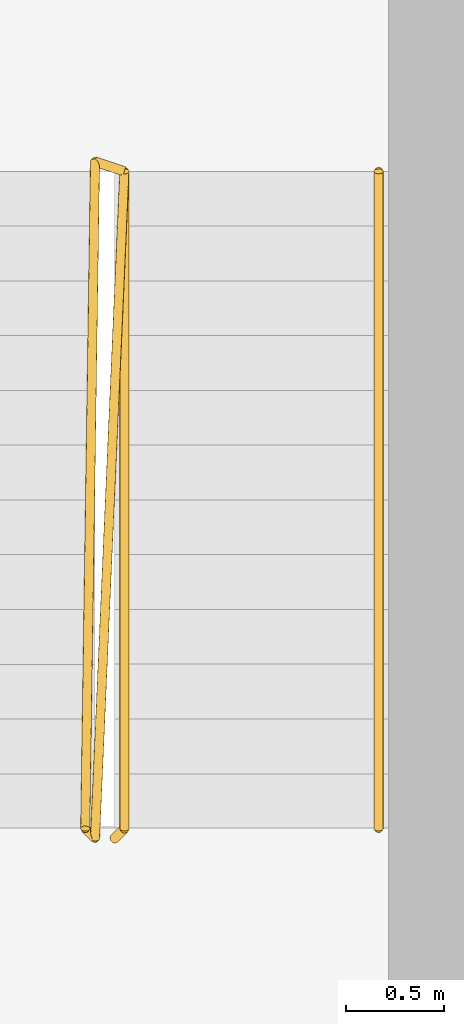
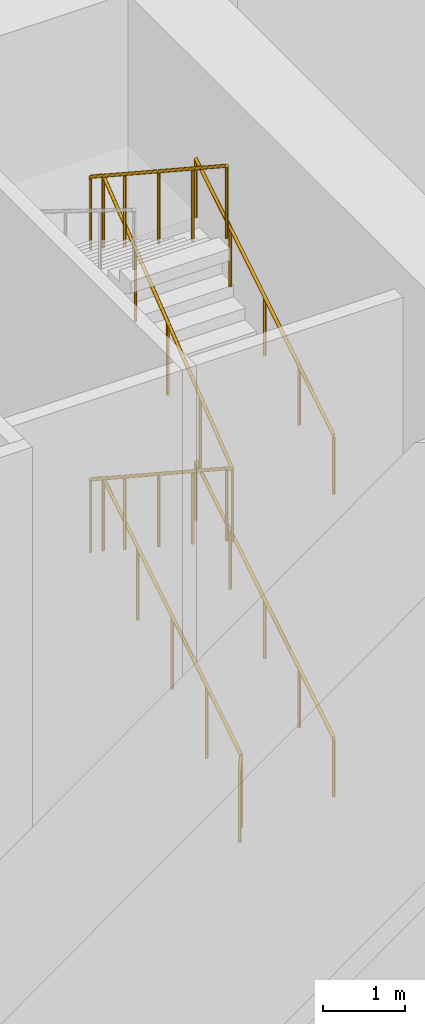
# One storey, part 20 of 21: 3 railings.
"""IFC4 building model written with IfcOpenShell, lengths in metres."""

from ifc_helpers import new_model, si_unit, direction, frame, origin, origin_2d, place, context, subcontext, project, spatial, circle, extrude, material, type_object, element, save


model = new_model("IFC4")

# Units and contexts
model_context = context("Model", 3, precision=1e-05, world=origin(), true_north=direction((0.0, 1.0)))
body_context = subcontext(model_context, "Body", "Model", "MODEL_VIEW")
ifc_project = project(units=[si_unit("LENGTHUNIT", "METRE"), si_unit("AREAUNIT", "SQUARE_METRE"), si_unit("VOLUMEUNIT", "CUBIC_METRE"), si_unit("PLANEANGLEUNIT", "RADIAN"), si_unit("MASSUNIT", "GRAM", prefix="KILO")], contexts=[model_context])

# Site, building, storey
site_placement = place(None, origin())
site = spatial("IfcSite", under=ifc_project, at=site_placement, CompositionType="ELEMENT")
building_placement = place(site_placement, origin())
building = spatial("IfcBuilding", under=site, at=building_placement, Name="Altiplano Prism Tower", CompositionType="ELEMENT")
storey_placement = place(building_placement, origin())
storey = spatial("IfcBuildingStorey", under=building, at=storey_placement, Name="L00", CompositionType="ELEMENT", Elevation=0.0)

# Railings
ifc_material = material(Name="Steel S355", Category="steel")
railing_type_1 = type_object("IfcRailingType", Name="Stair guard 1100", PredefinedType="GUARDRAIL", material=ifc_material)
railing_placement = place(storey_placement, frame((95.60009765625, 98.25, 0.0)))
element("IfcRailing", 1, at=railing_placement, inside=storey, type_object=railing_type_1, Name="L00 ST2 stair guard 1", PredefinedType="GUARDRAIL", context=body_context, shape_type="SweptSolid", body=[
    extrude(circle(Radius=0.02392578125, at=origin_2d()), frame((0.0, 0.0, 1.076171875), z_axis=(0.266417085129, 0.267723051232, 0.925929967433), x_axis=(-0.708833529934, 0.705375805398, 0.0)), (0.0, 0.0, 1.0), 0.18701171875),
    extrude(circle(Radius=0.02392578125, at=origin_2d()), frame((0.0498046875, 0.050048828125, 1.2490234375), z_axis=(0.0, 0.850606129759, 0.525803396734), x_axis=(-1.0, 0.0, 0.0)), (0.0, 0.0, 1.0), 3.949951171875),
    extrude(circle(Radius=0.02392578125, at=origin_2d()), frame((0.0498046875, 3.409912109375, 3.326171875), z_axis=(-0.948528701346, 0.316691178788, 0.0), x_axis=(-0.316691178788, -0.948528701346, 0.0)), (0.0, 0.0, 1.0), 0.157958984375),
    extrude(circle(Radius=0.02392578125, at=origin_2d()), frame((-0.10009765625, 3.4599609375, 3.326171875), z_axis=(-0.012249917091, -0.834607765926, 0.550708467873), x_axis=(0.999892303572, -0.014675873289, 0.0)), (0.0, 0.0, 1.0), 4.085693359375),
    extrude(circle(Radius=0.02392578125, at=origin_2d()), frame((-0.150146484375, 0.050048828125, 5.576171875), z_axis=(0.707106781187, -0.707106781187, 0.0), x_axis=(0.707106781187, 0.707106781187, 0.0)), (0.0, 0.0, 1.0), 0.07080078125),
    extrude(circle(Radius=0.02392578125, at=origin_2d()), frame((-0.10009765625, 0.0, 5.576171875), z_axis=(0.036668072879, 0.834109078025, 0.550379413122), x_axis=(-0.999035123863, 0.043918347967, 0.0)), (0.0, 0.0, 1.0), 4.088134765625),
    extrude(circle(Radius=0.02392578125, at=origin_2d()), frame((0.0498046875, 3.409912109375, 7.826171875), z_axis=(-0.948528701346, 0.316691178788, 0.0), x_axis=(-0.316691178788, -0.948528701346, 0.0)), (0.0, 0.0, 1.0), 0.157958984375),
    extrude(circle(Radius=0.02392578125, at=origin_2d()), frame((-0.10009765625, 3.4599609375, 7.826171875), z_axis=(-0.012249917091, -0.834607765926, 0.550708467873), x_axis=(0.999892303572, -0.014675873289, 0.0)), (0.0, 0.0, 1.0), 4.085693359375),
    extrude(circle(Radius=0.02099609375, at=origin_2d()), origin(), (0.0, 0.0, 1.0), 1.052001953125),
    extrude(circle(Radius=0.02099609375, at=origin_2d()), frame((0.0498046875, 0.050048828125, 0.173095703125)), (0.0, 0.0, 1.0), 1.052001953125),
    extrude(circle(Radius=0.02099609375, at=origin_2d()), frame((0.0498046875, 0.89013671875, 0.6923828125)), (0.0, 0.0, 1.0), 1.052001953125),
    extrude(circle(Radius=0.02099609375, at=origin_2d()), frame((0.0498046875, 1.72998046875, 1.21142578125)), (0.0, 0.0, 1.0), 1.052001953125),
    extrude(circle(Radius=0.02099609375, at=origin_2d()), frame((0.0498046875, 2.56982421875, 1.730712890625)), (0.0, 0.0, 1.0), 1.052001953125),
    extrude(circle(Radius=0.02099609375, at=origin_2d()), frame((0.0498046875, 3.409912109375, 2.25)), (0.0, 0.0, 1.0), 1.052001953125),
    extrude(circle(Radius=0.02099609375, at=origin_2d()), frame((-0.10009765625, 3.4599609375, 2.25)), (0.0, 0.0, 1.0), 1.052001953125),
    extrude(circle(Radius=0.02099609375, at=origin_2d()), frame((-0.112548828125, 2.607421875, 2.8125)), (0.0, 0.0, 1.0), 1.052001953125),
    extrude(circle(Radius=0.02099609375, at=origin_2d()), frame((-0.125, 1.7548828125, 3.375)), (0.0, 0.0, 1.0), 1.052001953125),
    extrude(circle(Radius=0.02099609375, at=origin_2d()), frame((-0.1376953125, 0.902587890625, 3.9375)), (0.0, 0.0, 1.0), 1.052001953125),
    extrude(circle(Radius=0.02099609375, at=origin_2d()), frame((-0.150146484375, 0.050048828125, 4.5)), (0.0, 0.0, 1.0), 1.052001953125),
    extrude(circle(Radius=0.02099609375, at=origin_2d()), frame((-0.10009765625, 0.0, 4.5)), (0.0, 0.0, 1.0), 1.052001953125),
    extrude(circle(Radius=0.02099609375, at=origin_2d()), frame((-0.0625, 0.8525390625, 5.0625)), (0.0, 0.0, 1.0), 1.052001953125),
    extrude(circle(Radius=0.02099609375, at=origin_2d()), frame((-0.025146484375, 1.705078125, 5.625)), (0.0, 0.0, 1.0), 1.052001953125),
    extrude(circle(Radius=0.02099609375, at=origin_2d()), frame((0.01220703125, 2.557373046875, 6.1875)), (0.0, 0.0, 1.0), 1.052001953125),
    extrude(circle(Radius=0.02099609375, at=origin_2d()), frame((0.0498046875, 3.409912109375, 6.75)), (0.0, 0.0, 1.0), 1.052001953125),
    extrude(circle(Radius=0.02099609375, at=origin_2d()), frame((-0.10009765625, 3.4599609375, 6.75)), (0.0, 0.0, 1.0), 1.052001953125),
    extrude(circle(Radius=0.02099609375, at=origin_2d()), frame((-0.112548828125, 2.607421875, 7.3125)), (0.0, 0.0, 1.0), 1.052001953125),
    extrude(circle(Radius=0.02099609375, at=origin_2d()), frame((-0.125, 1.7548828125, 7.875)), (0.0, 0.0, 1.0), 1.052001953125),
    extrude(circle(Radius=0.02099609375, at=origin_2d()), frame((-0.1376953125, 0.902587890625, 8.4375)), (0.0, 0.0, 1.0), 1.052001953125),
    extrude(circle(Radius=0.02099609375, at=origin_2d()), frame((-0.150146484375, 0.050048828125, 9.0)), (0.0, 0.0, 1.0), 1.052001953125),
])
railing_type_2 = type_object("IfcRailingType", Name="Stair handrail 900", PredefinedType="HANDRAIL", material=ifc_material)
for number, where, name in (
    (2, (96.949951171875, 98.300048828125, 0.173095703125), "L00 ST2 stair handrail 1"),
    (3, (96.949951171875, 98.300048828125, 4.673095703125), "L00 ST2 stair handrail 3"),
):
    element("IfcRailing", number, at=place(storey_placement, frame(where)), inside=storey, type_object=railing_type_2, Name=name, PredefinedType="HANDRAIL", context=body_context, shape_type="SweptSolid", body=[
        extrude(circle(Radius=0.02392578125, at=origin_2d()), frame((0.0, 0.0, 0.8759765625), z_axis=(0.0, 0.850606129759, 0.525803396734), x_axis=(-1.0, 0.0, 0.0)), (0.0, 0.0, 1.0), 3.949951171875),
        extrude(circle(Radius=0.02099609375, at=origin_2d()), origin(), (0.0, 0.0, 1.0), 0.851806640625),
        extrude(circle(Radius=0.02099609375, at=origin_2d()), frame((0.0, 0.83984375, 0.519287109375)), (0.0, 0.0, 1.0), 0.851806640625),
        extrude(circle(Radius=0.02099609375, at=origin_2d()), frame((0.0, 1.679931640625, 1.03857421875)), (0.0, 0.0, 1.0), 0.851806640625),
        extrude(circle(Radius=0.02099609375, at=origin_2d()), frame((0.0, 2.52001953125, 1.5576171875)), (0.0, 0.0, 1.0), 0.851806640625),
        extrude(circle(Radius=0.02099609375, at=origin_2d()), frame((0.0, 3.35986328125, 2.076904296875)), (0.0, 0.0, 1.0), 0.851806640625),
    ])

save(model, "model.ifc")
